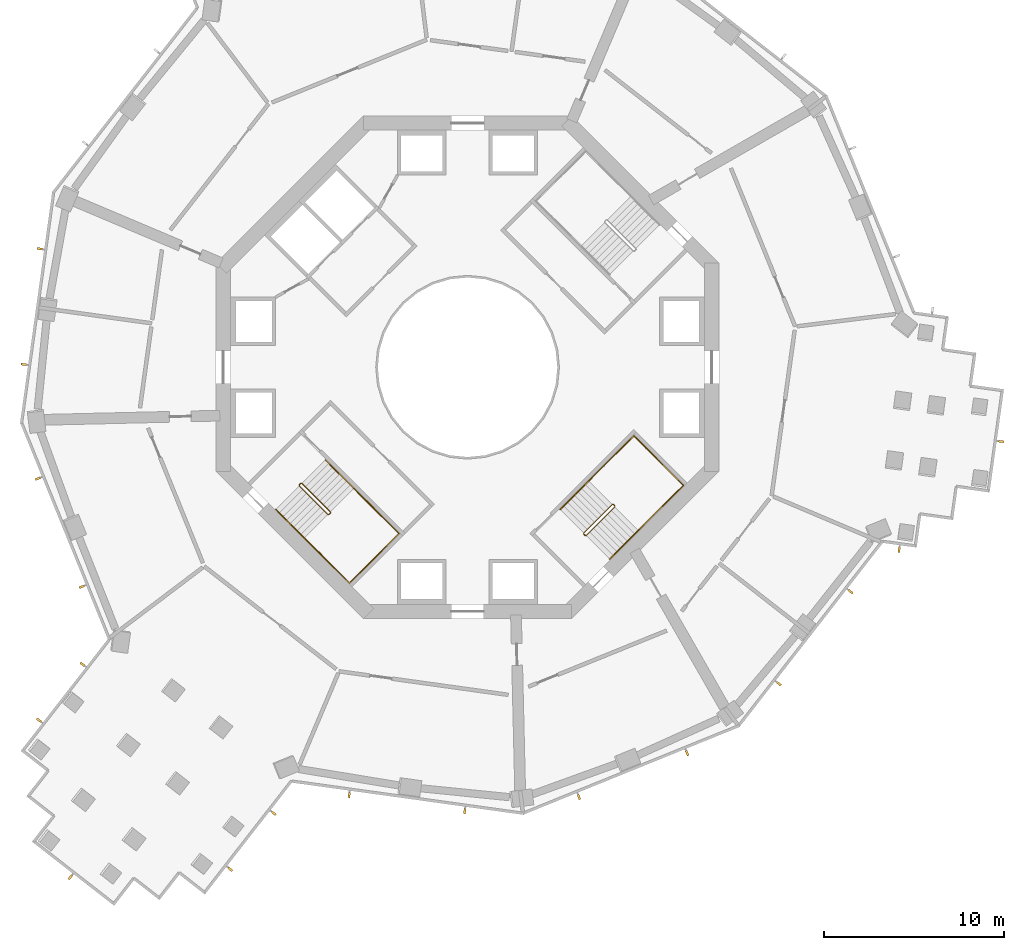
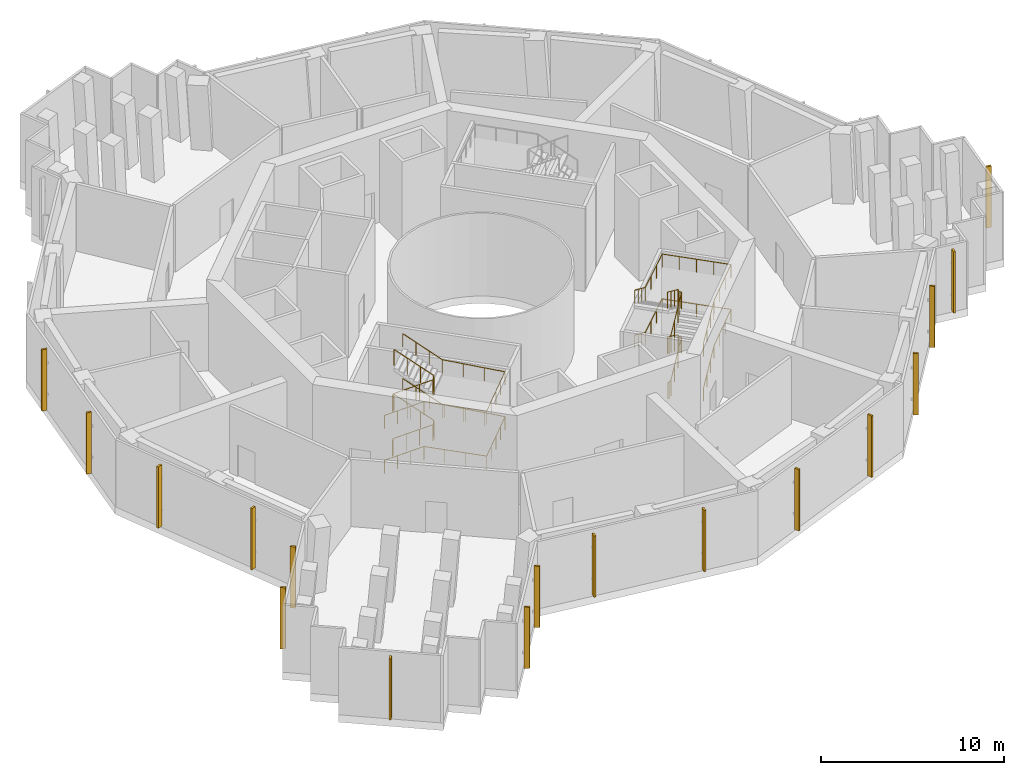
# One storey, part 16 of 17: 17 shading devices, 6 railings.
"""IFC4 building model written with IfcOpenShell, lengths in metres."""

from ifc_helpers import new_model, si_unit, direction, frame, origin, origin_2d, place, context, subcontext, project, spatial, rectangle, circle, extrude, material, material_profile, profile_set, type_object, element, save


model = new_model("IFC4")

# Units and contexts
model_context = context("Model", 3, precision=1e-05, world=origin(), true_north=direction((0.0, 1.0)))
body_context = subcontext(model_context, "Body", "Model", "MODEL_VIEW")
ifc_project = project(units=[si_unit("LENGTHUNIT", "METRE"), si_unit("AREAUNIT", "SQUARE_METRE"), si_unit("VOLUMEUNIT", "CUBIC_METRE"), si_unit("PLANEANGLEUNIT", "RADIAN"), si_unit("MASSUNIT", "GRAM", prefix="KILO")], contexts=[model_context])

# Site, building, storey
site_placement = place(None, origin())
site = spatial("IfcSite", under=ifc_project, at=site_placement, CompositionType="ELEMENT")
building_placement = place(site_placement, origin())
building = spatial("IfcBuilding", under=site, at=building_placement, Name="Verdalira Terraces Hotel", CompositionType="ELEMENT")
storey_placement = place(building_placement, frame((0.0, 0.0, 122.0)))
storey = spatial("IfcBuildingStorey", under=building, at=storey_placement, Name="L29", CompositionType="ELEMENT", Elevation=122.0)

# Railings
ifc_material_1 = material(Name="Stainless steel", Category="steel")
railing_type_1 = type_object("IfcRailingType", Name="Stair guard 1100", PredefinedType="GUARDRAIL", material=ifc_material_1)
railing_1_placement = place(storey_placement, frame((-9.369141, -6.540771, 0.0)))
element("IfcRailing", 1, at=railing_1_placement, inside=storey, type_object=railing_type_1, Name="L29 ST2 stair guard 1", PredefinedType="GUARDRAIL", context=body_context, shape_type="SweptSolid", body=[
    extrude(circle(Radius=0.023926, at=origin_2d()), frame((0.0, 0.0, 1.076172), z_axis=(0.707106781, 0.707106781, 0.0), x_axis=(-0.707106781, 0.707106781, 0.0)), (0.0, 0.0, 1.0), 0.100098),
    extrude(circle(Radius=0.023926, at=origin_2d()), frame((0.070801, 0.070801, 1.076172), z_axis=(-0.308122069, -0.615181649, 0.725680598), x_axis=(0.894118129, -0.447831187, 0.0)), (0.0, 0.0, 1.0), 0.229736),
    extrude(circle(Radius=0.023926, at=origin_2d()), frame((0.0, -0.070557, 1.242676), z_axis=(0.607628069, -0.607628069, 0.511445266), x_axis=(0.707106781, 0.707106781, 0.0)), (0.0, 0.0, 1.0), 2.606934),
    extrude(circle(Radius=0.023926, at=origin_2d()), frame((1.583984, -1.654541, 2.576172), z_axis=(1.0, 0.0, 0.0), x_axis=(0.0, 1.0, 0.0)), (0.0, 0.0, 1.0), 0.070557),
    extrude(circle(Radius=0.023926, at=origin_2d()), frame((1.654541, -1.654541, 2.576172), z_axis=(0.70832698, 0.705884473, 0.0), x_axis=(-0.705884473, 0.70832698, 0.0)), (0.0, 0.0, 1.0), 0.099854),
    extrude(circle(Radius=0.023926, at=origin_2d()), frame((1.725342, -1.583984, 2.576172), z_axis=(0.0, 0.390826706, 0.920464277), x_axis=(-1.0, 0.0, 0.0)), (0.0, 0.0, 1.0), 0.181152),
    extrude(circle(Radius=0.023926, at=origin_2d()), frame((1.725342, -1.513184, 2.742676), z_axis=(-0.607628069, 0.607628069, 0.511445266), x_axis=(-0.707106781, -0.707106781, 0.0)), (0.0, 0.0, 1.0), 2.606934),
    extrude(circle(Radius=0.023926, at=origin_2d()), frame((0.141357, 0.070801, 4.076172), z_axis=(-1.0, 0.0, 0.0), x_axis=(0.0, -1.0, 0.0)), (0.0, 0.0, 1.0), 0.070557),
    extrude(circle(Radius=0.023926, at=origin_2d()), frame((0.070801, 0.070801, 4.076172), z_axis=(-0.707106781, -0.707106781, 0.0), x_axis=(0.707106781, -0.707106781, 0.0)), (0.0, 0.0, 1.0), 0.100098),
    extrude(circle(Radius=0.023926, at=origin_2d()), frame((0.0, 0.0, 4.076172), z_axis=(0.0, -0.389683978, 0.92094864), x_axis=(1.0, 0.0, 0.0)), (0.0, 0.0, 1.0), 0.181152),
    extrude(circle(Radius=0.023926, at=origin_2d()), frame((0.0, -0.070557, 4.242676), z_axis=(0.607628069, -0.607628069, 0.511445266), x_axis=(0.707106781, 0.707106781, 0.0)), (0.0, 0.0, 1.0), 2.606934),
    extrude(circle(Radius=0.023926, at=origin_2d()), frame((1.583984, -1.654541, 5.576172), z_axis=(1.0, 0.0, 0.0), x_axis=(0.0, 1.0, 0.0)), (0.0, 0.0, 1.0), 0.070557),
    extrude(circle(Radius=0.023926, at=origin_2d()), frame((1.654541, -1.654541, 5.576172), z_axis=(0.70832698, 0.705884473, 0.0), x_axis=(-0.705884473, 0.70832698, 0.0)), (0.0, 0.0, 1.0), 0.099854),
    extrude(circle(Radius=0.023926, at=origin_2d()), frame((1.725342, -1.583984, 5.576172), z_axis=(0.0, 0.390826706, 0.920464277), x_axis=(-1.0, 0.0, 0.0)), (0.0, 0.0, 1.0), 0.181152),
    extrude(circle(Radius=0.023926, at=origin_2d()), frame((1.725342, -1.513184, 5.742676), z_axis=(-0.607628069, 0.607628069, 0.511445266), x_axis=(-0.707106781, -0.707106781, 0.0)), (0.0, 0.0, 1.0), 2.606934),
    extrude(circle(Radius=0.020996, at=origin_2d()), origin(), (0.0, 0.0, 1.0), 1.052002),
    extrude(circle(Radius=0.020996, at=origin_2d()), frame((0.070801, 0.070801, 0.0)), (0.0, 0.0, 1.0), 1.052002),
    extrude(circle(Radius=0.020996, at=origin_2d()), frame((0.0, -0.070557, 0.166748)), (0.0, 0.0, 1.0), 1.052002),
    extrude(circle(Radius=0.020996, at=origin_2d()), frame((0.528076, -0.598633, 0.611084)), (0.0, 0.0, 1.0), 1.052002),
    extrude(circle(Radius=0.020996, at=origin_2d()), frame((1.055908, -1.126465, 1.055664)), (0.0, 0.0, 1.0), 1.052002),
    extrude(circle(Radius=0.020996, at=origin_2d()), frame((1.583984, -1.654541, 1.5)), (0.0, 0.0, 1.0), 1.052002),
    extrude(circle(Radius=0.020996, at=origin_2d()), frame((1.654541, -1.654541, 1.5)), (0.0, 0.0, 1.0), 1.052002),
    extrude(circle(Radius=0.020996, at=origin_2d()), frame((1.725342, -1.583984, 1.5)), (0.0, 0.0, 1.0), 1.052002),
    extrude(circle(Radius=0.020996, at=origin_2d()), frame((1.725342, -1.513184, 1.666748)), (0.0, 0.0, 1.0), 1.052002),
    extrude(circle(Radius=0.020996, at=origin_2d()), frame((1.197266, -0.985107, 2.111084)), (0.0, 0.0, 1.0), 1.052002),
    extrude(circle(Radius=0.020996, at=origin_2d()), frame((0.669434, -0.457275, 2.555664)), (0.0, 0.0, 1.0), 1.052002),
    extrude(circle(Radius=0.020996, at=origin_2d()), frame((0.141357, 0.070801, 3.0)), (0.0, 0.0, 1.0), 1.052002),
    extrude(circle(Radius=0.020996, at=origin_2d()), frame((0.070801, 0.070801, 3.0)), (0.0, 0.0, 1.0), 1.052002),
    extrude(circle(Radius=0.020996, at=origin_2d()), frame((0.0, 0.0, 3.0)), (0.0, 0.0, 1.0), 1.052002),
    extrude(circle(Radius=0.020996, at=origin_2d()), frame((0.0, -0.070557, 3.166748)), (0.0, 0.0, 1.0), 1.052002),
    extrude(circle(Radius=0.020996, at=origin_2d()), frame((0.528076, -0.598633, 3.611084)), (0.0, 0.0, 1.0), 1.052002),
    extrude(circle(Radius=0.020996, at=origin_2d()), frame((1.055908, -1.126465, 4.055664)), (0.0, 0.0, 1.0), 1.052002),
    extrude(circle(Radius=0.020996, at=origin_2d()), frame((1.583984, -1.654541, 4.5)), (0.0, 0.0, 1.0), 1.052002),
    extrude(circle(Radius=0.020996, at=origin_2d()), frame((1.654541, -1.654541, 4.5)), (0.0, 0.0, 1.0), 1.052002),
    extrude(circle(Radius=0.020996, at=origin_2d()), frame((1.725342, -1.583984, 4.5)), (0.0, 0.0, 1.0), 1.052002),
    extrude(circle(Radius=0.020996, at=origin_2d()), frame((1.725342, -1.513184, 4.666748)), (0.0, 0.0, 1.0), 1.052002),
    extrude(circle(Radius=0.020996, at=origin_2d()), frame((1.197266, -0.985107, 5.111084)), (0.0, 0.0, 1.0), 1.052002),
    extrude(circle(Radius=0.020996, at=origin_2d()), frame((0.669434, -0.457275, 5.555664)), (0.0, 0.0, 1.0), 1.052002),
    extrude(circle(Radius=0.020996, at=origin_2d()), frame((0.141357, 0.070801, 6.0)), (0.0, 0.0, 1.0), 1.052002),
])
railing_2_placement = place(storey_placement, frame((6.540771, -9.369141, 0.0)))
element("IfcRailing", 2, at=railing_2_placement, inside=storey, type_object=railing_type_1, Name="L29 ST3 stair guard 1", PredefinedType="GUARDRAIL", context=body_context, shape_type="SweptSolid", body=[
    extrude(circle(Radius=0.023926, at=origin_2d()), frame((0.0, 0.0, 1.076172), z_axis=(-0.707106781, 0.707106781, 0.0), x_axis=(-0.707106781, -0.707106781, 0.0)), (0.0, 0.0, 1.0), 0.100098),
    extrude(circle(Radius=0.023926, at=origin_2d()), frame((-0.070801, 0.070801, 1.076172), z_axis=(0.615181649, -0.308122069, 0.725680598), x_axis=(0.447831187, 0.894118129, 0.0)), (0.0, 0.0, 1.0), 0.229736),
    extrude(circle(Radius=0.023926, at=origin_2d()), frame((0.070557, 0.0, 1.242676), z_axis=(0.607628069, 0.607628069, 0.511445266), x_axis=(-0.707106781, 0.707106781, 0.0)), (0.0, 0.0, 1.0), 2.606934),
    extrude(circle(Radius=0.023926, at=origin_2d()), frame((1.654541, 1.583984, 2.576172), z_axis=(0.0, 1.0, 0.0), x_axis=(-1.0, 0.0, 0.0)), (0.0, 0.0, 1.0), 0.070557),
    extrude(circle(Radius=0.023926, at=origin_2d()), frame((1.654541, 1.654541, 2.576172), z_axis=(-0.705884473, 0.70832698, 0.0), x_axis=(-0.70832698, -0.705884473, 0.0)), (0.0, 0.0, 1.0), 0.099854),
    extrude(circle(Radius=0.023926, at=origin_2d()), frame((1.583984, 1.725342, 2.576172), z_axis=(-0.390826706, 0.0, 0.920464277), x_axis=(0.0, -1.0, 0.0)), (0.0, 0.0, 1.0), 0.181152),
    extrude(circle(Radius=0.023926, at=origin_2d()), frame((1.513184, 1.725342, 2.742676), z_axis=(-0.607628069, -0.607628069, 0.511445266), x_axis=(0.707106781, -0.707106781, 0.0)), (0.0, 0.0, 1.0), 2.606934),
    extrude(circle(Radius=0.023926, at=origin_2d()), frame((-0.070801, 0.141357, 4.076172), z_axis=(0.0, -1.0, 0.0), x_axis=(1.0, 0.0, 0.0)), (0.0, 0.0, 1.0), 0.070557),
    extrude(circle(Radius=0.023926, at=origin_2d()), frame((-0.070801, 0.070801, 4.076172), z_axis=(0.707106781, -0.707106781, 0.0), x_axis=(0.707106781, 0.707106781, 0.0)), (0.0, 0.0, 1.0), 0.100098),
    extrude(circle(Radius=0.023926, at=origin_2d()), frame((0.0, 0.0, 4.076172), z_axis=(0.389683978, 0.0, 0.92094864), x_axis=(0.0, 1.0, 0.0)), (0.0, 0.0, 1.0), 0.181152),
    extrude(circle(Radius=0.023926, at=origin_2d()), frame((0.070557, 0.0, 4.242676), z_axis=(0.607628069, 0.607628069, 0.511445266), x_axis=(-0.707106781, 0.707106781, 0.0)), (0.0, 0.0, 1.0), 2.606934),
    extrude(circle(Radius=0.023926, at=origin_2d()), frame((1.654541, 1.583984, 5.576172), z_axis=(0.0, 1.0, 0.0), x_axis=(-1.0, 0.0, 0.0)), (0.0, 0.0, 1.0), 0.070557),
    extrude(circle(Radius=0.023926, at=origin_2d()), frame((1.654541, 1.654541, 5.576172), z_axis=(-0.705884473, 0.70832698, 0.0), x_axis=(-0.70832698, -0.705884473, 0.0)), (0.0, 0.0, 1.0), 0.099854),
    extrude(circle(Radius=0.023926, at=origin_2d()), frame((1.583984, 1.725342, 5.576172), z_axis=(-0.390826706, 0.0, 0.920464277), x_axis=(0.0, -1.0, 0.0)), (0.0, 0.0, 1.0), 0.181152),
    extrude(circle(Radius=0.023926, at=origin_2d()), frame((1.513184, 1.725342, 5.742676), z_axis=(-0.607628069, -0.607628069, 0.511445266), x_axis=(0.707106781, -0.707106781, 0.0)), (0.0, 0.0, 1.0), 2.606934),
    extrude(circle(Radius=0.020996, at=origin_2d()), origin(), (0.0, 0.0, 1.0), 1.052002),
    extrude(circle(Radius=0.020996, at=origin_2d()), frame((-0.070801, 0.070801, 0.0)), (0.0, 0.0, 1.0), 1.052002),
    extrude(circle(Radius=0.020996, at=origin_2d()), frame((0.070557, 0.0, 0.166748)), (0.0, 0.0, 1.0), 1.052002),
    extrude(circle(Radius=0.020996, at=origin_2d()), frame((0.598633, 0.528076, 0.611084)), (0.0, 0.0, 1.0), 1.052002),
    extrude(circle(Radius=0.020996, at=origin_2d()), frame((1.126465, 1.055908, 1.055664)), (0.0, 0.0, 1.0), 1.052002),
    extrude(circle(Radius=0.020996, at=origin_2d()), frame((1.654541, 1.583984, 1.5)), (0.0, 0.0, 1.0), 1.052002),
    extrude(circle(Radius=0.020996, at=origin_2d()), frame((1.654541, 1.654541, 1.5)), (0.0, 0.0, 1.0), 1.052002),
    extrude(circle(Radius=0.020996, at=origin_2d()), frame((1.583984, 1.725342, 1.5)), (0.0, 0.0, 1.0), 1.052002),
    extrude(circle(Radius=0.020996, at=origin_2d()), frame((1.513184, 1.725342, 1.666748)), (0.0, 0.0, 1.0), 1.052002),
    extrude(circle(Radius=0.020996, at=origin_2d()), frame((0.985107, 1.197266, 2.111084)), (0.0, 0.0, 1.0), 1.052002),
    extrude(circle(Radius=0.020996, at=origin_2d()), frame((0.457275, 0.669434, 2.555664)), (0.0, 0.0, 1.0), 1.052002),
    extrude(circle(Radius=0.020996, at=origin_2d()), frame((-0.070801, 0.141357, 3.0)), (0.0, 0.0, 1.0), 1.052002),
    extrude(circle(Radius=0.020996, at=origin_2d()), frame((-0.070801, 0.070801, 3.0)), (0.0, 0.0, 1.0), 1.052002),
    extrude(circle(Radius=0.020996, at=origin_2d()), frame((0.0, 0.0, 3.0)), (0.0, 0.0, 1.0), 1.052002),
    extrude(circle(Radius=0.020996, at=origin_2d()), frame((0.070557, 0.0, 3.166748)), (0.0, 0.0, 1.0), 1.052002),
    extrude(circle(Radius=0.020996, at=origin_2d()), frame((0.598633, 0.528076, 3.611084)), (0.0, 0.0, 1.0), 1.052002),
    extrude(circle(Radius=0.020996, at=origin_2d()), frame((1.126465, 1.055908, 4.055664)), (0.0, 0.0, 1.0), 1.052002),
    extrude(circle(Radius=0.020996, at=origin_2d()), frame((1.654541, 1.583984, 4.5)), (0.0, 0.0, 1.0), 1.052002),
    extrude(circle(Radius=0.020996, at=origin_2d()), frame((1.654541, 1.654541, 4.5)), (0.0, 0.0, 1.0), 1.052002),
    extrude(circle(Radius=0.020996, at=origin_2d()), frame((1.583984, 1.725342, 4.5)), (0.0, 0.0, 1.0), 1.052002),
    extrude(circle(Radius=0.020996, at=origin_2d()), frame((1.513184, 1.725342, 4.666748)), (0.0, 0.0, 1.0), 1.052002),
    extrude(circle(Radius=0.020996, at=origin_2d()), frame((0.985107, 1.197266, 5.111084)), (0.0, 0.0, 1.0), 1.052002),
    extrude(circle(Radius=0.020996, at=origin_2d()), frame((0.457275, 0.669434, 5.555664)), (0.0, 0.0, 1.0), 1.052002),
    extrude(circle(Radius=0.020996, at=origin_2d()), frame((-0.070801, 0.141357, 6.0)), (0.0, 0.0, 1.0), 1.052002),
])
ifc_material_2 = material(Name="Stainless steel", Category="steel")
railing_type_2 = type_object("IfcRailingType", Name="Stair handrail 900", PredefinedType="HANDRAIL", material=ifc_material_2)
railing_3_placement = place(storey_placement, frame((-10.677246, -7.919678, 0.166748)))
element("IfcRailing", 3, at=railing_3_placement, inside=storey, type_object=railing_type_2, Name="L29 ST2 stair handrail 1", PredefinedType="HANDRAIL", context=body_context, shape_type="SweptSolid", body=[
    extrude(circle(Radius=0.023926, at=origin_2d()), frame((0.0, 0.0, 0.875977), z_axis=(0.607603567, -0.607603567, 0.511503481), x_axis=(0.707106781, 0.707106781, 0.0)), (0.0, 0.0, 1.0), 2.606445),
    extrude(circle(Radius=0.023926, at=origin_2d()), frame((1.58374, -1.58374, 2.208984), z_axis=(0.707106781, -0.707106781, 0.0), x_axis=(0.707106781, 0.707106781, 0.0)), (0.0, 0.0, 1.0), 3.560059),
    extrude(circle(Radius=0.023926, at=origin_2d()), frame((4.101074, -4.101074, 2.208984), z_axis=(0.707138081, 0.70707548, 0.0), x_axis=(-0.70707548, 0.707138081, 0.0)), (0.0, 0.0, 1.0), 3.899902),
    extrude(circle(Radius=0.023926, at=origin_2d()), frame((6.858887, -1.343506, 2.208984), z_axis=(-0.706332407, 0.706332407, 0.046787415), x_axis=(-0.707106781, -0.707106781, 0.0)), (0.0, 0.0, 1.0), 3.563965),
    extrude(circle(Radius=0.023926, at=origin_2d()), frame((4.341553, 1.173828, 2.375977), z_axis=(-0.607628069, 0.607628069, 0.511445266), x_axis=(-0.707106781, -0.707106781, 0.0)), (0.0, 0.0, 1.0), 2.606934),
    extrude(circle(Radius=0.020996, at=origin_2d()), origin(), (0.0, 0.0, 1.0), 0.851807),
    extrude(circle(Radius=0.020996, at=origin_2d()), frame((0.527832, -0.527832, 0.444336)), (0.0, 0.0, 1.0), 0.851807),
    extrude(circle(Radius=0.020996, at=origin_2d()), frame((1.055908, -1.055908, 0.888916)), (0.0, 0.0, 1.0), 0.851807),
    extrude(circle(Radius=0.020996, at=origin_2d()), frame((1.58374, -1.58374, 1.333252)), (0.0, 0.0, 1.0), 0.851807),
    extrude(circle(Radius=0.020996, at=origin_2d()), frame((2.422852, -2.422852, 1.333252)), (0.0, 0.0, 1.0), 0.851807),
    extrude(circle(Radius=0.020996, at=origin_2d()), frame((3.261963, -3.261963, 1.333252)), (0.0, 0.0, 1.0), 0.851807),
    extrude(circle(Radius=0.020996, at=origin_2d()), frame((4.101074, -4.101074, 1.333252)), (0.0, 0.0, 1.0), 0.851807),
    extrude(circle(Radius=0.020996, at=origin_2d()), frame((4.790527, -3.411621, 1.333252)), (0.0, 0.0, 1.0), 0.851807),
    extrude(circle(Radius=0.020996, at=origin_2d()), frame((5.47998, -2.722168, 1.333252)), (0.0, 0.0, 1.0), 0.851807),
    extrude(circle(Radius=0.020996, at=origin_2d()), frame((6.169434, -2.032959, 1.333252)), (0.0, 0.0, 1.0), 0.851807),
    extrude(circle(Radius=0.020996, at=origin_2d()), frame((6.858887, -1.343506, 1.333252)), (0.0, 0.0, 1.0), 0.851807),
    extrude(circle(Radius=0.020996, at=origin_2d()), frame((6.019775, -0.504395, 1.388916)), (0.0, 0.0, 1.0), 0.851807),
    extrude(circle(Radius=0.020996, at=origin_2d()), frame((5.180664, 0.334717, 1.444336)), (0.0, 0.0, 1.0), 0.851807),
    extrude(circle(Radius=0.020996, at=origin_2d()), frame((4.341553, 1.173828, 1.5)), (0.0, 0.0, 1.0), 0.851807),
    extrude(circle(Radius=0.020996, at=origin_2d()), frame((3.813477, 1.701904, 1.944336)), (0.0, 0.0, 1.0), 0.851807),
    extrude(circle(Radius=0.020996, at=origin_2d()), frame((3.285645, 2.229736, 2.388916)), (0.0, 0.0, 1.0), 0.851807),
    extrude(circle(Radius=0.020996, at=origin_2d()), frame((2.757568, 2.757812, 2.833252)), (0.0, 0.0, 1.0), 0.851807),
])
railing_4_placement = place(storey_placement, frame((-10.677246, -7.919678, 3.166748)))
element("IfcRailing", 4, at=railing_4_placement, inside=storey, type_object=railing_type_2, Name="L29 ST2 stair handrail 2", PredefinedType="HANDRAIL", context=body_context, shape_type="SweptSolid", body=[
    extrude(circle(Radius=0.023926, at=origin_2d()), frame((0.0, 0.0, 0.875977), z_axis=(0.607603567, -0.607603567, 0.511503481), x_axis=(0.707106781, 0.707106781, 0.0)), (0.0, 0.0, 1.0), 2.606445),
    extrude(circle(Radius=0.023926, at=origin_2d()), frame((1.58374, -1.58374, 2.208984), z_axis=(0.707106781, -0.707106781, 0.0), x_axis=(0.707106781, 0.707106781, 0.0)), (0.0, 0.0, 1.0), 3.560059),
    extrude(circle(Radius=0.023926, at=origin_2d()), frame((4.101074, -4.101074, 2.208984), z_axis=(0.707138081, 0.70707548, 0.0), x_axis=(-0.70707548, 0.707138081, 0.0)), (0.0, 0.0, 1.0), 3.899902),
    extrude(circle(Radius=0.023926, at=origin_2d()), frame((6.858887, -1.343506, 2.208984), z_axis=(-0.706332407, 0.706332407, 0.046787415), x_axis=(-0.707106781, -0.707106781, 0.0)), (0.0, 0.0, 1.0), 3.563965),
    extrude(circle(Radius=0.023926, at=origin_2d()), frame((4.341553, 1.173828, 2.375977), z_axis=(-0.607628069, 0.607628069, 0.511445266), x_axis=(-0.707106781, -0.707106781, 0.0)), (0.0, 0.0, 1.0), 2.606934),
    extrude(circle(Radius=0.020996, at=origin_2d()), origin(), (0.0, 0.0, 1.0), 0.851807),
    extrude(circle(Radius=0.020996, at=origin_2d()), frame((0.527832, -0.527832, 0.444336)), (0.0, 0.0, 1.0), 0.851807),
    extrude(circle(Radius=0.020996, at=origin_2d()), frame((1.055908, -1.055908, 0.888916)), (0.0, 0.0, 1.0), 0.851807),
    extrude(circle(Radius=0.020996, at=origin_2d()), frame((1.58374, -1.58374, 1.333252)), (0.0, 0.0, 1.0), 0.851807),
    extrude(circle(Radius=0.020996, at=origin_2d()), frame((2.422852, -2.422852, 1.333252)), (0.0, 0.0, 1.0), 0.851807),
    extrude(circle(Radius=0.020996, at=origin_2d()), frame((3.261963, -3.261963, 1.333252)), (0.0, 0.0, 1.0), 0.851807),
    extrude(circle(Radius=0.020996, at=origin_2d()), frame((4.101074, -4.101074, 1.333252)), (0.0, 0.0, 1.0), 0.851807),
    extrude(circle(Radius=0.020996, at=origin_2d()), frame((4.790527, -3.411621, 1.333252)), (0.0, 0.0, 1.0), 0.851807),
    extrude(circle(Radius=0.020996, at=origin_2d()), frame((5.47998, -2.722168, 1.333252)), (0.0, 0.0, 1.0), 0.851807),
    extrude(circle(Radius=0.020996, at=origin_2d()), frame((6.169434, -2.032959, 1.333252)), (0.0, 0.0, 1.0), 0.851807),
    extrude(circle(Radius=0.020996, at=origin_2d()), frame((6.858887, -1.343506, 1.333252)), (0.0, 0.0, 1.0), 0.851807),
    extrude(circle(Radius=0.020996, at=origin_2d()), frame((6.019775, -0.504395, 1.388916)), (0.0, 0.0, 1.0), 0.851807),
    extrude(circle(Radius=0.020996, at=origin_2d()), frame((5.180664, 0.334717, 1.444336)), (0.0, 0.0, 1.0), 0.851807),
    extrude(circle(Radius=0.020996, at=origin_2d()), frame((4.341553, 1.173828, 1.5)), (0.0, 0.0, 1.0), 0.851807),
    extrude(circle(Radius=0.020996, at=origin_2d()), frame((3.813477, 1.701904, 1.944336)), (0.0, 0.0, 1.0), 0.851807),
    extrude(circle(Radius=0.020996, at=origin_2d()), frame((3.285645, 2.229736, 2.388916)), (0.0, 0.0, 1.0), 0.851807),
    extrude(circle(Radius=0.020996, at=origin_2d()), frame((2.757568, 2.757812, 2.833252)), (0.0, 0.0, 1.0), 0.851807),
])
railing_5_placement = place(storey_placement, frame((7.919678, -10.677246, 0.166748)))
element("IfcRailing", 5, at=railing_5_placement, inside=storey, type_object=railing_type_2, Name="L29 ST3 stair handrail 1", PredefinedType="HANDRAIL", context=body_context, shape_type="SweptSolid", body=[
    extrude(circle(Radius=0.023926, at=origin_2d()), frame((0.0, 0.0, 0.875977), z_axis=(0.607603567, 0.607603567, 0.511503481), x_axis=(-0.707106781, 0.707106781, 0.0)), (0.0, 0.0, 1.0), 2.606445),
    extrude(circle(Radius=0.023926, at=origin_2d()), frame((1.58374, 1.58374, 2.208984), z_axis=(0.707106781, 0.707106781, 0.0), x_axis=(-0.707106781, 0.707106781, 0.0)), (0.0, 0.0, 1.0), 3.560059),
    extrude(circle(Radius=0.023926, at=origin_2d()), frame((4.101074, 4.101074, 2.208984), z_axis=(-0.70707548, 0.707138081, 0.0), x_axis=(-0.707138081, -0.70707548, 0.0)), (0.0, 0.0, 1.0), 3.899902),
    extrude(circle(Radius=0.023926, at=origin_2d()), frame((1.343506, 6.858887, 2.208984), z_axis=(-0.706332407, -0.706332407, 0.046787415), x_axis=(0.707106781, -0.707106781, 0.0)), (0.0, 0.0, 1.0), 3.563965),
    extrude(circle(Radius=0.023926, at=origin_2d()), frame((-1.173828, 4.341553, 2.375977), z_axis=(-0.607628069, -0.607628069, 0.511445266), x_axis=(0.707106781, -0.707106781, 0.0)), (0.0, 0.0, 1.0), 2.606934),
    extrude(circle(Radius=0.020996, at=origin_2d()), origin(), (0.0, 0.0, 1.0), 0.851807),
    extrude(circle(Radius=0.020996, at=origin_2d()), frame((0.527832, 0.527832, 0.444336)), (0.0, 0.0, 1.0), 0.851807),
    extrude(circle(Radius=0.020996, at=origin_2d()), frame((1.055908, 1.055908, 0.888916)), (0.0, 0.0, 1.0), 0.851807),
    extrude(circle(Radius=0.020996, at=origin_2d()), frame((1.58374, 1.58374, 1.333252)), (0.0, 0.0, 1.0), 0.851807),
    extrude(circle(Radius=0.020996, at=origin_2d()), frame((2.422852, 2.422852, 1.333252)), (0.0, 0.0, 1.0), 0.851807),
    extrude(circle(Radius=0.020996, at=origin_2d()), frame((3.261963, 3.261963, 1.333252)), (0.0, 0.0, 1.0), 0.851807),
    extrude(circle(Radius=0.020996, at=origin_2d()), frame((4.101074, 4.101074, 1.333252)), (0.0, 0.0, 1.0), 0.851807),
    extrude(circle(Radius=0.020996, at=origin_2d()), frame((3.411621, 4.790527, 1.333252)), (0.0, 0.0, 1.0), 0.851807),
    extrude(circle(Radius=0.020996, at=origin_2d()), frame((2.722168, 5.47998, 1.333252)), (0.0, 0.0, 1.0), 0.851807),
    extrude(circle(Radius=0.020996, at=origin_2d()), frame((2.032959, 6.169434, 1.333252)), (0.0, 0.0, 1.0), 0.851807),
    extrude(circle(Radius=0.020996, at=origin_2d()), frame((1.343506, 6.858887, 1.333252)), (0.0, 0.0, 1.0), 0.851807),
    extrude(circle(Radius=0.020996, at=origin_2d()), frame((0.504395, 6.019775, 1.388916)), (0.0, 0.0, 1.0), 0.851807),
    extrude(circle(Radius=0.020996, at=origin_2d()), frame((-0.334717, 5.180664, 1.444336)), (0.0, 0.0, 1.0), 0.851807),
    extrude(circle(Radius=0.020996, at=origin_2d()), frame((-1.173828, 4.341553, 1.5)), (0.0, 0.0, 1.0), 0.851807),
    extrude(circle(Radius=0.020996, at=origin_2d()), frame((-1.701904, 3.813477, 1.944336)), (0.0, 0.0, 1.0), 0.851807),
    extrude(circle(Radius=0.020996, at=origin_2d()), frame((-2.229736, 3.285645, 2.388916)), (0.0, 0.0, 1.0), 0.851807),
    extrude(circle(Radius=0.020996, at=origin_2d()), frame((-2.757812, 2.757568, 2.833252)), (0.0, 0.0, 1.0), 0.851807),
])
railing_6_placement = place(storey_placement, frame((7.919678, -10.677246, 3.166748)))
element("IfcRailing", 6, at=railing_6_placement, inside=storey, type_object=railing_type_2, Name="L29 ST3 stair handrail 2", PredefinedType="HANDRAIL", context=body_context, shape_type="SweptSolid", body=[
    extrude(circle(Radius=0.023926, at=origin_2d()), frame((0.0, 0.0, 0.875977), z_axis=(0.607603567, 0.607603567, 0.511503481), x_axis=(-0.707106781, 0.707106781, 0.0)), (0.0, 0.0, 1.0), 2.606445),
    extrude(circle(Radius=0.023926, at=origin_2d()), frame((1.58374, 1.58374, 2.208984), z_axis=(0.707106781, 0.707106781, 0.0), x_axis=(-0.707106781, 0.707106781, 0.0)), (0.0, 0.0, 1.0), 3.560059),
    extrude(circle(Radius=0.023926, at=origin_2d()), frame((4.101074, 4.101074, 2.208984), z_axis=(-0.70707548, 0.707138081, 0.0), x_axis=(-0.707138081, -0.70707548, 0.0)), (0.0, 0.0, 1.0), 3.899902),
    extrude(circle(Radius=0.023926, at=origin_2d()), frame((1.343506, 6.858887, 2.208984), z_axis=(-0.706332407, -0.706332407, 0.046787415), x_axis=(0.707106781, -0.707106781, 0.0)), (0.0, 0.0, 1.0), 3.563965),
    extrude(circle(Radius=0.023926, at=origin_2d()), frame((-1.173828, 4.341553, 2.375977), z_axis=(-0.607628069, -0.607628069, 0.511445266), x_axis=(0.707106781, -0.707106781, 0.0)), (0.0, 0.0, 1.0), 2.606934),
    extrude(circle(Radius=0.020996, at=origin_2d()), origin(), (0.0, 0.0, 1.0), 0.851807),
    extrude(circle(Radius=0.020996, at=origin_2d()), frame((0.527832, 0.527832, 0.444336)), (0.0, 0.0, 1.0), 0.851807),
    extrude(circle(Radius=0.020996, at=origin_2d()), frame((1.055908, 1.055908, 0.888916)), (0.0, 0.0, 1.0), 0.851807),
    extrude(circle(Radius=0.020996, at=origin_2d()), frame((1.58374, 1.58374, 1.333252)), (0.0, 0.0, 1.0), 0.851807),
    extrude(circle(Radius=0.020996, at=origin_2d()), frame((2.422852, 2.422852, 1.333252)), (0.0, 0.0, 1.0), 0.851807),
    extrude(circle(Radius=0.020996, at=origin_2d()), frame((3.261963, 3.261963, 1.333252)), (0.0, 0.0, 1.0), 0.851807),
    extrude(circle(Radius=0.020996, at=origin_2d()), frame((4.101074, 4.101074, 1.333252)), (0.0, 0.0, 1.0), 0.851807),
    extrude(circle(Radius=0.020996, at=origin_2d()), frame((3.411621, 4.790527, 1.333252)), (0.0, 0.0, 1.0), 0.851807),
    extrude(circle(Radius=0.020996, at=origin_2d()), frame((2.722168, 5.47998, 1.333252)), (0.0, 0.0, 1.0), 0.851807),
    extrude(circle(Radius=0.020996, at=origin_2d()), frame((2.032959, 6.169434, 1.333252)), (0.0, 0.0, 1.0), 0.851807),
    extrude(circle(Radius=0.020996, at=origin_2d()), frame((1.343506, 6.858887, 1.333252)), (0.0, 0.0, 1.0), 0.851807),
    extrude(circle(Radius=0.020996, at=origin_2d()), frame((0.504395, 6.019775, 1.388916)), (0.0, 0.0, 1.0), 0.851807),
    extrude(circle(Radius=0.020996, at=origin_2d()), frame((-0.334717, 5.180664, 1.444336)), (0.0, 0.0, 1.0), 0.851807),
    extrude(circle(Radius=0.020996, at=origin_2d()), frame((-1.173828, 4.341553, 1.5)), (0.0, 0.0, 1.0), 0.851807),
    extrude(circle(Radius=0.020996, at=origin_2d()), frame((-1.701904, 3.813477, 1.944336)), (0.0, 0.0, 1.0), 0.851807),
    extrude(circle(Radius=0.020996, at=origin_2d()), frame((-2.229736, 3.285645, 2.388916)), (0.0, 0.0, 1.0), 0.851807),
    extrude(circle(Radius=0.020996, at=origin_2d()), frame((-2.757812, 2.757568, 2.833252)), (0.0, 0.0, 1.0), 0.851807),
])

# Shading devices
ifc_material_3 = material(Name="Terracotta frame", Category="masonry")
ifc_material_profile = material_profile(ifc_material_3, rectangle(XDim=0.120117, YDim=0.300049, at=origin_2d()), Name="FIN 120x300")
ifc_profile_set = profile_set([ifc_material_profile], Name="Terracotta frame")
shading_device_type = type_object("IfcShadingDeviceType", Name="Terracotta fin 120x300", PredefinedType="USERDEFINED", material=ifc_profile_set)
for number, where, z_axis, x_axis, name in (
    (7, (-23.82666, 6.595947, 0.199951), (0.0, 0.0, 1.0), (-0.137790291, -0.990461426, 0.0), "Terracotta fin"),
    (8, (-24.722412, 0.157959, 0.199951), (0.0, 0.0, 1.0), (-0.137790291, -0.990461426, 0.0), "Terracotta fin"),
    (9, (-23.932617, -6.201172, 0.199951), (0.0, 0.0, 1.0), (0.375900821, -0.926659901, 0.0), "Terracotta fin"),
    (10, (-21.489258, -12.224365, 0.199951), (0.0, 0.0, 1.0), (0.375900821, -0.926659901, 0.0), "Terracotta fin"),
    (11, (-21.446045, -16.54541, 0.199951), (0.0, 0.0, 1.0), (-0.614560605, -0.788869611, 0.0), "Terracotta fin"),
    (12, (-23.871826, -19.65918, 0.199951), (0.0, 0.0, 1.0), (-0.614560605, -0.788869611, 0.0), "Terracotta fin"),
    (13, (-22.125977, -28.401611, 0.199951), (0.0, 0.0, 1.0), (0.788869611, -0.614560605, 0.0), "Terracotta fin"),
    (14, (-13.222168, -27.955811, 0.199951), (0.0, 0.0, 1.0), (0.614560605, 0.788869611, 0.0), "Terracotta fin"),
    (15, (-10.796387, -24.841797, 0.199951), (0.0, 0.0, 1.0), (0.614560605, 0.788869611, 0.0), "Terracotta fin"),
    (16, (-6.595947, -23.82666, 0.199951), (0.0, 0.0, 1.0), (0.990461426, -0.137790291, 0.0), "Terracotta fin"),
    (17, (-0.157959, -24.722412, 0.199951), (0.0, 0.0, 1.0), (0.990461426, -0.137790291, 0.0), "Terracotta fin"),
    (18, (6.201172, -23.932617, 0.199951), (0.0, 0.0, 1.0), (0.926659901, 0.375900821, 0.0), "Terracotta fin"),
    (19, (12.224365, -21.489258, 0.199951), (0.0, 0.0, 1.0), (0.926659901, 0.375900821, 0.0), "Terracotta fin"),
    (20, (17.33667, -17.625732, 0.199951), (0.0, 0.0, 1.0), (0.614560605, 0.788869611, 0.0), "Terracotta fin"),
    (21, (21.331299, -12.498047, 0.199951), (0.0, 0.0, 1.0), (0.614560605, 0.788869611, 0.0), "Terracotta fin"),
    (22, (24.035156, -10.158691, 0.199951), (0.0, 0.0, 1.0), (0.990461426, -0.137790291, 0.0), "Terracotta fin"),
    (23, (29.716797, -4.134033, 0.199951), (0.0, 0.0, 1.0), (0.137790291, 0.990461426, 0.0), "Terracotta fin"),
):
    element("IfcShadingDevice", number, at=place(storey_placement, frame(where, z_axis=z_axis, x_axis=x_axis)), inside=storey, type_object=shading_device_type, Name=name, ObjectType="FIN", PredefinedType="USERDEFINED", context=body_context, shape_type="SweptSolid", body=[
        extrude(rectangle(XDim=0.120117, YDim=0.300049, at=origin_2d()), origin(), (0.0, 0.0, 1.0), 4.100098),
    ])

save(model, "model.ifc")
